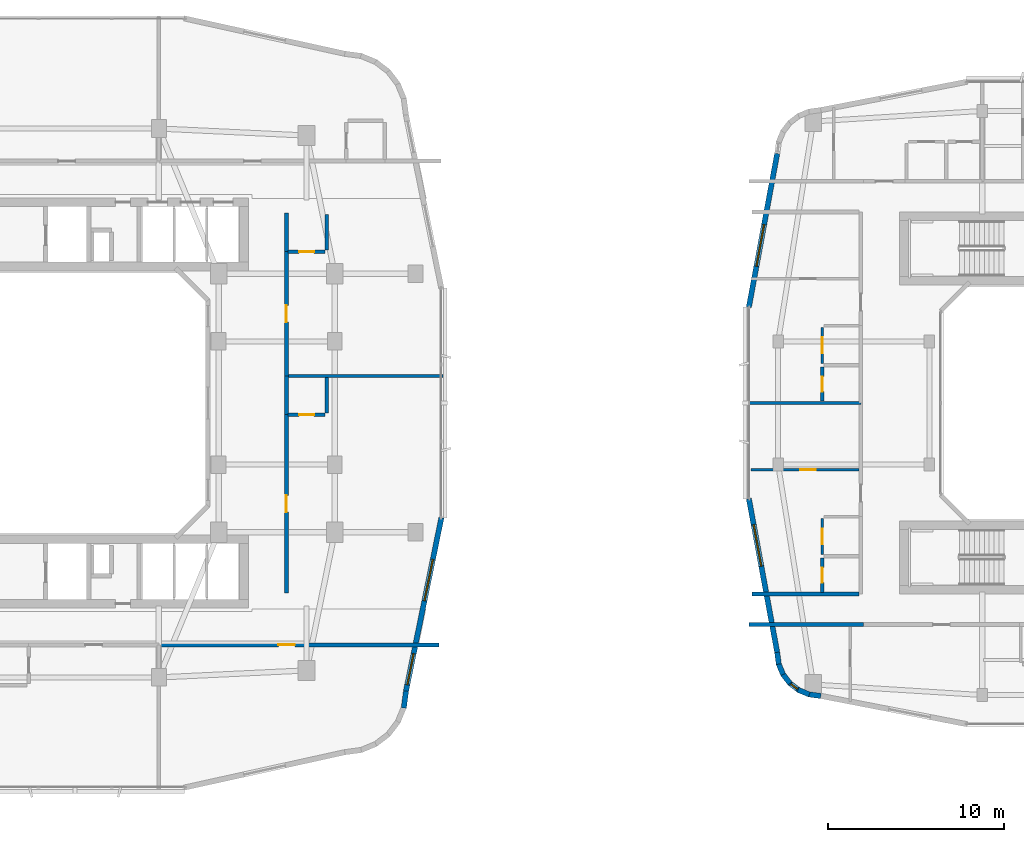
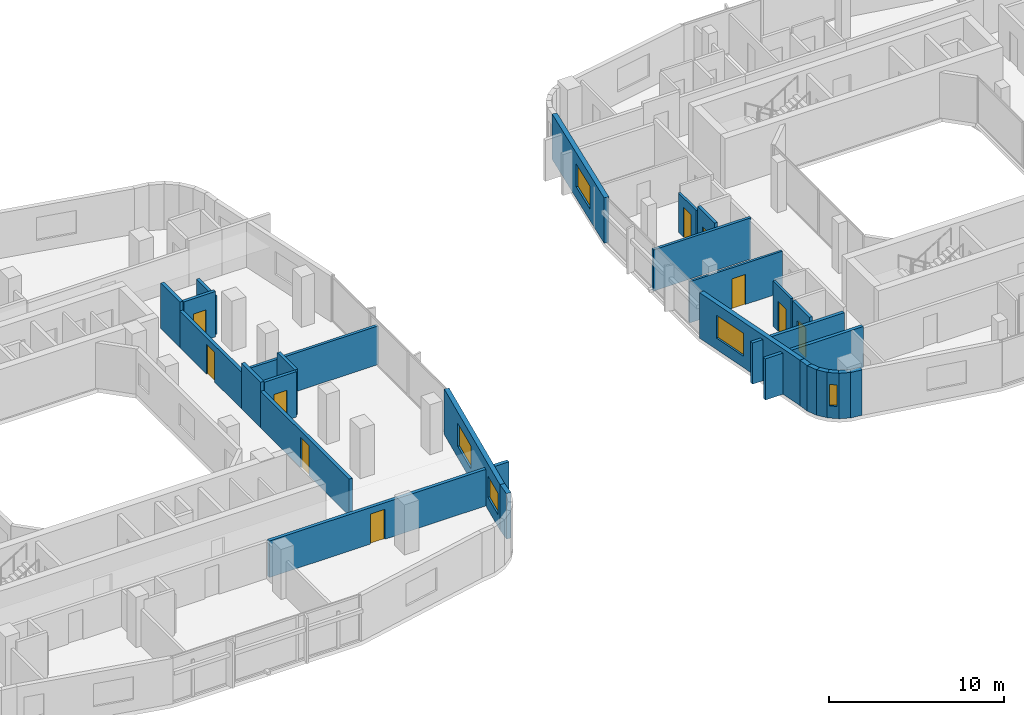
# One storey, part 14 of 25: 28 walls, 10 doors, 5 windows, 15 openings.
"""IFC4 building model written with IfcOpenShell, lengths in metres."""

from ifc_helpers import new_model, si_unit, derived_unit, direction, frame, frame_2d, origin, place, context, subcontext, project, spatial, rectangle, extrude, material, layer, layer_set, type_object, element, fill, save


model = new_model("IFC4")

# Units and contexts
model_context = context("Model", 3, precision=1e-05, world=origin(), true_north=direction((0.0, 1.0)))
body_context = subcontext(model_context, "Body", "Model", "MODEL_VIEW")
ifc_project = project(units=[si_unit("LENGTHUNIT", "METRE"), si_unit("AREAUNIT", "SQUARE_METRE"), si_unit("VOLUMEUNIT", "CUBIC_METRE"), si_unit("PLANEANGLEUNIT", "RADIAN"), si_unit("MASSUNIT", "GRAM", prefix="KILO"), derived_unit("THERMALTRANSMITTANCEUNIT", [(si_unit("POWERUNIT", "WATT"), 1), (si_unit("LENGTHUNIT", "METRE"), -2), (si_unit("THERMODYNAMICTEMPERATUREUNIT", "KELVIN"), -1)])], contexts=[model_context])

# Site, building, storey
site_placement = place(None, origin())
site = spatial("IfcSite", under=ifc_project, at=site_placement, CompositionType="ELEMENT")
building_placement = place(site_placement, origin())
building = spatial("IfcBuilding", under=site, at=building_placement, Name="Kivonza Crest Hotel", CompositionType="ELEMENT")
storey_placement = place(building_placement, frame((0.0, 0.0, 87.0)))
storey = spatial("IfcBuildingStorey", under=building, at=storey_placement, Name="L23", CompositionType="ELEMENT", Elevation=87.0)

# Walls
ifc_material_1 = material(Name="High-density acoustic masonry inter-tenancy wall", Category="masonry")
ifc_layer_1 = layer(ifc_material_1, 0.179931640625)
ifc_layer_set_1 = layer_set([ifc_layer_1], Name="High-density acoustic masonry inter-tenancy wall")
wall_type_1 = type_object("IfcWallType", Name="WL-ACOU-180", PredefinedType="SOLIDWALL", material=ifc_layer_set_1)
wall_1_placement = place(storey_placement, frame((33.050048828125, 26.5400390625, 0.0), z_axis=(0.0, 0.0, 1.0), x_axis=(1.0, 0.0, 0.0)))
element("IfcWall", 1, at=wall_1_placement, inside=storey, type_object=wall_type_1, Name="L23 interior partition WA-L23-T1E-DIV1", PredefinedType="SOLIDWALL", context=body_context, shape_type="SweptSolid", body=[
    extrude(rectangle(XDim=8.889892578125, YDim=0.179931640625, at=frame_2d((4.44482421875, 0.0))), origin(), (0.0, 0.0, 1.0), 2.705078125),
])
wall_2_placement = place(storey_placement, frame((59.260009765625, 25.0, 0.0), z_axis=(0.0, 0.0, 1.0), x_axis=(1.0, 0.0, 0.0)))
element("IfcWall", 2, at=wall_2_placement, inside=storey, type_object=wall_type_1, Name="L23 interior partition WA-L23-T2W-DIV1", PredefinedType="SOLIDWALL", context=body_context, shape_type="SweptSolid", body=[
    extrude(rectangle(XDim=6.43994140625, YDim=0.179931640625, at=frame_2d((3.219970703125, 0.0))), origin(), (0.0, 0.0, 1.0), 2.875),
])

# Wall, opening, door
ifc_material_2 = material(Name="Autoclaved aerated concrete blockwork", Category="masonry")
ifc_layer_2 = layer(ifc_material_2, 0.219970703125)
ifc_layer_set_2 = layer_set([ifc_layer_2], Name="Autoclaved aerated concrete blockwork")
wall_type_2 = type_object("IfcWallType", Name="WL-ACOU-220", PredefinedType="SOLIDWALL", material=ifc_layer_set_2)
wall_3_placement = place(storey_placement, frame((25.89990234375, 11.25, 0.0), z_axis=(0.0, 0.0, 1.0), x_axis=(1.0, 0.0, 0.0)))
wall_3 = element("IfcWall", 3, at=wall_3_placement, inside=storey, type_object=wall_type_2, Name="L23 interior partition WA-L23-BUS-MTG-N", PredefinedType="SOLIDWALL", context=body_context, shape_type="SweptSolid", body=[
    extrude(rectangle(XDim=15.840087890625, YDim=0.219970703125, at=frame_2d((7.919921875, 0.0))), origin(), (0.0, 0.0, 1.0), 2.554931640625),
])
opening_1_placement = place(wall_3_placement, frame((6.69091796875, 0.0, 0.0)))
opening_1 = element("IfcOpeningElement", 4, at=opening_1_placement, cuts=wall_3, Name="Opening DF-60S", PredefinedType="OPENING", context=body_context, shape_type="SweptSolid", body=[
    extrude(rectangle(XDim=0.949951171875, YDim=2.10009765625, at=frame_2d((0.47509765625, 1.050048828125))), frame((0.0, 0.1201171875, 0.0), z_axis=(0.0, -1.0, 0.0), x_axis=(1.0, 0.0, 0.0)), (0.0, 0.0, 1.0), 0.239990234375),
])
ifc_material_3 = material(Name="Hardwood timber oak", Category="wood")
door_type_1 = type_object("IfcDoorType", Name="DR-FD60-950", OperationType="NOTDEFINED", PredefinedType="DOOR", material=ifc_material_3)
door_1_placement = place(opening_1_placement, frame((0.949951171875, 0.0, 0.0), z_axis=(0.0, 0.0, 1.0), x_axis=(-1.0, 0.0, 0.0)))
door_1 = element("IfcDoor", 5, at=door_1_placement, inside=storey, type_object=door_type_1, Name="L23 Guest Business Office door", OperationType="SINGLE_SWING_RIGHT", OverallHeight=2.10009765625, OverallWidth=0.949951171875, PredefinedType="DOOR", context=body_context, shape_type="SweptSolid", body=[
    extrude(rectangle(XDim=0.949951171875, YDim=2.10009765625, at=frame_2d((0.47509765625, 1.050048828125))), frame((0.0, 0.02490234375, 0.0), z_axis=(0.0, -1.0, 0.0), x_axis=(1.0, 0.0, 0.0)), (0.0, 0.0, 1.0), 0.050048828125),
])
fill(opening_1, door_1)

# Wall
wall_4_placement = place(storey_placement, frame((33.050048828125, 24.340087890625, 0.0), z_axis=(0.0, 0.0, 1.0), x_axis=(0.0, 1.0, 0.0)))
element("IfcWall", 6, at=wall_4_placement, inside=storey, type_object=wall_type_2, Name="L23 interior partition WA-L23-E08-BCORR", PredefinedType="SOLIDWALL", context=body_context, shape_type="SweptSolid", body=[
    extrude(rectangle(XDim=2.199951171875, YDim=0.219970703125, at=frame_2d((1.10009765625, 0.0))), origin(), (0.0, 0.0, 1.0), 3.179931640625),
])

# Wall, opening, door
wall_5_placement = place(storey_placement, frame((33.050048828125, 14.199951171875, 0.0), z_axis=(0.0, 0.0, 1.0), x_axis=(0.0, 1.0, 0.0)))
wall_5 = element("IfcWall", 7, at=wall_5_placement, inside=storey, type_object=wall_type_2, Name="L23 interior partition WA-L23-E08-MCORR", PredefinedType="SOLIDWALL", context=body_context, shape_type="SweptSolid", body=[
    extrude(rectangle(XDim=10.14013671875, YDim=0.219970703125, at=frame_2d((5.070068359375, 0.0))), origin(), (0.0, 0.0, 1.0), 2.554931640625),
])
opening_2_placement = place(wall_5_placement, frame((4.594970703125, 0.0, 0.0)))
opening_2 = element("IfcOpeningElement", 8, at=opening_2_placement, cuts=wall_5, Name="Opening DU-60", PredefinedType="OPENING", context=body_context, shape_type="SweptSolid", body=[
    extrude(rectangle(XDim=0.949951171875, YDim=2.10009765625, at=frame_2d((0.47509765625, 1.050048828125))), frame((0.0, 0.1201171875, 0.0), z_axis=(0.0, -1.0, 0.0), x_axis=(1.0, 0.0, 0.0)), (0.0, 0.0, 1.0), 0.239990234375),
])
door_type_2 = type_object("IfcDoorType", Name="DR-UNIT-950", OperationType="NOTDEFINED", PredefinedType="DOOR", material=ifc_material_3)
door_2_placement = place(opening_2_placement, frame((0.949951171875, 0.0, 0.0), z_axis=(0.0, 0.0, 1.0), x_axis=(-1.0, 0.0, 0.0)))
door_2 = element("IfcDoor", 9, at=door_2_placement, inside=storey, type_object=door_type_2, Name="L23 E08 guest unit entrance fire door", OperationType="SINGLE_SWING_RIGHT", OverallHeight=2.10009765625, OverallWidth=0.949951171875, PredefinedType="DOOR", context=body_context, shape_type="SweptSolid", body=[
    extrude(rectangle(XDim=0.949951171875, YDim=2.10009765625, at=frame_2d((0.47509765625, 1.050048828125))), frame((0.0, 0.02490234375, 0.0), z_axis=(0.0, -1.0, 0.0), x_axis=(1.0, 0.0, 0.0)), (0.0, 0.0, 1.0), 0.050048828125),
])
fill(opening_2, door_2)

# Wall
wall_6_placement = place(storey_placement, frame((33.050048828125, 33.60009765625, 0.0), z_axis=(0.0, 0.0, 1.0), x_axis=(0.0, 1.0, 0.0)))
element("IfcWall", 10, at=wall_6_placement, inside=storey, type_object=wall_type_2, Name="L23 interior partition WA-L23-E09-BCORR", PredefinedType="SOLIDWALL", context=body_context, shape_type="SweptSolid", body=[
    extrude(rectangle(XDim=2.199951171875, YDim=0.219970703125, at=frame_2d((1.10009765625, 0.0))), origin(), (0.0, 0.0, 1.0), 3.179931640625),
])

# Wall, opening, door
wall_7_placement = place(storey_placement, frame((33.050048828125, 26.5400390625, 0.0), z_axis=(0.0, 0.0, 1.0), x_axis=(0.0, 1.0, 0.0)))
wall_7 = element("IfcWall", 11, at=wall_7_placement, inside=storey, type_object=wall_type_2, Name="L23 interior partition WA-L23-E09-MCORR", PredefinedType="SOLIDWALL", context=body_context, shape_type="SweptSolid", body=[
    extrude(rectangle(XDim=7.06005859375, YDim=0.219970703125, at=frame_2d((3.530029296875, 0.0))), origin(), (0.0, 0.0, 1.0), 2.554931640625),
])
opening_3_placement = place(wall_7_placement, frame((3.054931640625, 0.0, 0.0)))
opening_3 = element("IfcOpeningElement", 12, at=opening_3_placement, cuts=wall_7, Name="Opening DU-60", PredefinedType="OPENING", context=body_context, shape_type="SweptSolid", body=[
    extrude(rectangle(XDim=0.949951171875, YDim=2.10009765625, at=frame_2d((0.47509765625, 1.050048828125))), frame((0.0, 0.1201171875, 0.0), z_axis=(0.0, -1.0, 0.0), x_axis=(1.0, 0.0, 0.0)), (0.0, 0.0, 1.0), 0.239990234375),
])
door_3_placement = place(opening_3_placement, frame((0.949951171875, 0.0, 0.0), z_axis=(0.0, 0.0, 1.0), x_axis=(-1.0, 0.0, 0.0)))
door_3 = element("IfcDoor", 13, at=door_3_placement, inside=storey, type_object=door_type_2, Name="L23 E09 guest unit entrance fire door", OperationType="SINGLE_SWING_LEFT", OverallHeight=2.10009765625, OverallWidth=0.949951171875, PredefinedType="DOOR", context=body_context, shape_type="SweptSolid", body=[
    extrude(rectangle(XDim=0.949951171875, YDim=2.10009765625, at=frame_2d((0.47509765625, 1.050048828125))), frame((0.0, 0.02490234375, 0.0), z_axis=(0.0, -1.0, 0.0), x_axis=(1.0, 0.0, 0.0)), (0.0, 0.0, 1.0), 0.050048828125),
])
fill(opening_3, door_3)

# Walls
wall_8_placement = place(storey_placement, frame((59.360107421875, 12.39990234375, 0.0), z_axis=(0.0, 0.0, 1.0), x_axis=(1.0, 0.0, 0.0)))
element("IfcWall", 14, at=wall_8_placement, inside=storey, type_object=wall_type_2, Name="L23 interior partition WA-L23-A03-LCORR", PredefinedType="SOLIDWALL", context=body_context, shape_type="SweptSolid", body=[
    extrude(rectangle(XDim=6.489990234375, YDim=0.219970703125, at=frame_2d((3.2451171875, 0.0))), origin(), (0.0, 0.0, 1.0), 2.875),
])
wall_9_placement = place(storey_placement, frame((59.52001953125, 14.139892578125, 0.0), z_axis=(0.0, 0.0, 1.0), x_axis=(1.0, 0.0, 0.0)))
element("IfcWall", 15, at=wall_9_placement, inside=storey, type_object=wall_type_2, Name="L23 interior partition WA-L23-T2W-ENDS", PredefinedType="SOLIDWALL", context=body_context, shape_type="SweptSolid", body=[
    extrude(rectangle(XDim=6.080078125, YDim=0.219970703125, at=frame_2d((3.0400390625, 0.0))), origin(), (0.0, 0.0, 1.0), 2.875),
])
ifc_material_4 = material(Name="Precast concrete C40/50", Category="concrete")
ifc_layer_3 = layer(ifc_material_4, 0.300048828125)
ifc_layer_set_3 = layer_set([ifc_layer_3], Name="Precast concrete C40/50")
wall_type_3 = type_object("IfcWallType", Name="WL-EXT-300", PredefinedType="STANDARD", material=ifc_layer_set_3)
wall_10_placement = place(storey_placement, frame((39.72509765625, 7.6630859375, 0.0), z_axis=(0.0, 0.0, 1.0), x_axis=(0.130454512571, 0.991454295543, 0.0)))
element("IfcWall", 16, at=wall_10_placement, inside=storey, type_object=wall_type_3, Name="L23 T1 exterior insulated wall 15", PredefinedType="STANDARD", context=body_context, shape_type="SweptSolid", body=[
    extrude(rectangle(XDim=0.97314453125, YDim=0.300048828125, at=frame_2d((0.486572265625, 0.0))), origin(), (0.0, 0.0, 1.0), 3.179931640625),
])

# Wall, openings, windows
wall_11_placement = place(storey_placement, frame((39.85107421875, 8.6220703125, 0.0), z_axis=(0.0, 0.0, 1.0), x_axis=(0.199990901713, 0.979797754249, 0.0)))
wall_11 = element("IfcWall", 17, at=wall_11_placement, inside=storey, type_object=wall_type_3, Name="L23 T1 exterior insulated wall 16", PredefinedType="STANDARD", context=body_context, shape_type="SweptSolid", body=[
    extrude(rectangle(XDim=10.065185546875, YDim=0.300048828125, at=frame_2d((5.03271484375, 0.0))), origin(), (0.0, 0.0, 1.0), 3.179931640625),
])
opening_4_placement = place(wall_11_placement, frame((0.3779296875, 0.0, 0.85009765625)))
opening_4 = element("IfcOpeningElement", 18, at=opening_4_placement, cuts=wall_11, Name="Opening WN-03", PredefinedType="OPENING", context=body_context, shape_type="SweptSolid", body=[
    extrude(rectangle(XDim=1.800048828125, YDim=1.5, at=frame_2d((0.89990234375, 0.75))), frame((0.0, 0.16015625, 0.0), z_axis=(0.0, -1.0, 0.0), x_axis=(1.0, 0.0, 0.0)), (0.0, 0.0, 1.0), 0.320068359375),
])
opening_5_placement = place(wall_11_placement, frame((5.236083984375, 0.0, 0.800048828125)))
opening_5 = element("IfcOpeningElement", 19, at=opening_5_placement, cuts=wall_11, Name="Opening WN-05", PredefinedType="OPENING", context=body_context, shape_type="SweptSolid", body=[
    extrude(rectangle(XDim=2.39990234375, YDim=1.60009765625, at=frame_2d((1.199951171875, 0.800048828125))), frame((0.0, 0.16015625, 0.0), z_axis=(0.0, -1.0, 0.0), x_axis=(1.0, 0.0, 0.0)), (0.0, 0.0, 1.0), 0.320068359375),
])
ifc_material_5 = material(Name="Thermally broken bronze aluminium and low-E double glazing", Category="aluminium")
window_type_1 = type_object("IfcWindowType", Name="WN-180x150", PartitioningType="DOUBLE_PANEL_VERTICAL", PredefinedType="WINDOW", material=ifc_material_5)
window_1_placement = place(opening_4_placement, origin())
window_1 = element("IfcWindow", 20, at=window_1_placement, inside=storey, type_object=window_type_1, Name="L23 T1 facade window 16 bay 1", OverallHeight=1.5, OverallWidth=1.800048828125, PartitioningType="SINGLE_PANEL", PredefinedType="WINDOW", context=body_context, shape_type="SweptSolid", body=[
    extrude(rectangle(XDim=1.800048828125, YDim=1.5, at=frame_2d((0.89990234375, 0.75))), frame((0.0, 0.030029296875, 0.0), z_axis=(0.0, -1.0, 0.0), x_axis=(1.0, 0.0, 0.0)), (0.0, 0.0, 1.0), 0.06005859375),
])
fill(opening_4, window_1)
window_type_2 = type_object("IfcWindowType", Name="WN-240x160", PartitioningType="TRIPLE_PANEL_VERTICAL", PredefinedType="WINDOW", material=ifc_material_5)
window_2_placement = place(opening_5_placement, origin())
window_2 = element("IfcWindow", 21, at=window_2_placement, inside=storey, type_object=window_type_2, Name="L23 T1 facade window 16 bay 2", OverallHeight=1.60009765625, OverallWidth=2.39990234375, PartitioningType="SINGLE_PANEL", PredefinedType="WINDOW", context=body_context, shape_type="SweptSolid", body=[
    extrude(rectangle(XDim=2.39990234375, YDim=1.60009765625, at=frame_2d((1.199951171875, 0.800048828125))), frame((0.0, 0.030029296875, 0.0), z_axis=(0.0, -1.0, 0.0), x_axis=(1.0, 0.0, 0.0)), (0.0, 0.0, 1.0), 0.06005859375),
])
fill(opening_5, window_2)

# Walls
wall_12_placement = place(storey_placement, frame((60.947998046875, 10.827880859375, 0.0), z_axis=(0.0, 0.0, 1.0), x_axis=(0.131667498923, -0.991293937098, 0.0)))
element("IfcWall", 22, at=wall_12_placement, inside=storey, type_object=wall_type_3, Name="L23 T2 exterior insulated wall 1", PredefinedType="STANDARD", context=body_context, shape_type="SweptSolid", body=[
    extrude(rectangle(XDim=0.6767578125, YDim=0.300048828125, at=frame_2d((0.33837890625, 0.0))), origin(), (0.0, 0.0, 1.0), 3.179931640625),
])
wall_13_placement = place(storey_placement, frame((61.01806640625, 10.20703125, 0.0), z_axis=(0.0, 0.0, 1.0), x_axis=(0.381864727877, -0.92421822618, 0.0)))
element("IfcWall", 23, at=wall_13_placement, inside=storey, type_object=wall_type_3, Name="L23 T2 exterior insulated wall 2", PredefinedType="STANDARD", context=body_context, shape_type="SweptSolid", body=[
    extrude(rectangle(XDim=0.693603515625, YDim=0.300048828125, at=frame_2d((0.3466796875, 0.0))), origin(), (0.0, 0.0, 1.0), 3.179931640625),
])
wall_14_placement = place(storey_placement, frame((61.251953125, 9.611083984375, 0.0), z_axis=(0.0, 0.0, 1.0), x_axis=(0.609693758543, -0.792637067512, 0.0)))
element("IfcWall", 24, at=wall_14_placement, inside=storey, type_object=wall_type_3, Name="L23 T2 exterior insulated wall 3", PredefinedType="STANDARD", context=body_context, shape_type="SweptSolid", body=[
    extrude(rectangle(XDim=0.69384765625, YDim=0.300048828125, at=frame_2d((0.346923828125, 0.0))), origin(), (0.0, 0.0, 1.0), 3.179931640625),
])

# Wall, opening, window
wall_15_placement = place(storey_placement, frame((61.633056640625, 9.095947265625, 0.0), z_axis=(0.0, 0.0, 1.0), x_axis=(0.792807092876, -0.609472651958, 0.0)))
wall_15 = element("IfcWall", 25, at=wall_15_placement, inside=storey, type_object=wall_type_3, Name="L23 T2 exterior insulated wall 4", PredefinedType="STANDARD", context=body_context, shape_type="SweptSolid", body=[
    extrude(rectangle(XDim=0.69384765625, YDim=0.300048828125, at=frame_2d((0.346923828125, 0.0))), origin(), (0.0, 0.0, 1.0), 3.179931640625),
])
opening_6_placement = place(wall_15_placement, frame((0.1220703125, 0.0, 0.85009765625)))
opening_6 = element("IfcOpeningElement", 26, at=opening_6_placement, cuts=wall_15, Name="Opening WN-11", PredefinedType="OPENING", context=body_context, shape_type="SweptSolid", body=[
    extrude(rectangle(XDim=0.449951171875, YDim=1.5, at=frame_2d((0.22509765625, 0.75))), frame((0.0, 0.16015625, 0.0), z_axis=(0.0, -1.0, 0.0), x_axis=(1.0, 0.0, 0.0)), (0.0, 0.0, 1.0), 0.320068359375),
])
window_type_3 = type_object("IfcWindowType", Name="WN-045x150", PartitioningType="SINGLE_PANEL", PredefinedType="WINDOW", material=ifc_material_5)
window_3_placement = place(opening_6_placement, origin())
window_3 = element("IfcWindow", 27, at=window_3_placement, inside=storey, type_object=window_type_3, Name="L23 corner vision window 3", OverallHeight=1.5, OverallWidth=0.449951171875, PartitioningType="SINGLE_PANEL", PredefinedType="WINDOW", context=body_context, shape_type="SweptSolid", body=[
    extrude(rectangle(XDim=0.449951171875, YDim=1.5, at=frame_2d((0.22509765625, 0.75))), frame((0.0, 0.030029296875, 0.0), z_axis=(0.0, -1.0, 0.0), x_axis=(1.0, 0.0, 0.0)), (0.0, 0.0, 1.0), 0.06005859375),
])
fill(opening_6, window_3)

# Walls
wall_16_placement = place(storey_placement, frame((62.134033203125, 8.697021484375, 0.0), z_axis=(0.0, 0.0, 1.0), x_axis=(0.924042561464, -0.382289608286, 0.0)))
element("IfcWall", 28, at=wall_16_placement, inside=storey, type_object=wall_type_3, Name="L23 T2 exterior insulated wall 5", PredefinedType="STANDARD", context=body_context, shape_type="SweptSolid", body=[
    extrude(rectangle(XDim=0.693603515625, YDim=0.300048828125, at=frame_2d((0.3466796875, 0.0))), origin(), (0.0, 0.0, 1.0), 3.179931640625),
])
wall_17_placement = place(storey_placement, frame((62.721923828125, 8.44091796875, 0.0), z_axis=(0.0, 0.0, 1.0), x_axis=(0.991433279471, -0.130614135366, 0.0)))
element("IfcWall", 29, at=wall_17_placement, inside=storey, type_object=wall_type_3, Name="L23 T2 exterior insulated wall 6", PredefinedType="STANDARD", context=body_context, shape_type="SweptSolid", body=[
    extrude(rectangle(XDim=0.712158203125, YDim=0.300048828125, at=frame_2d((0.35595703125, 0.0))), origin(), (0.0, 0.0, 1.0), 3.179931640625),
])

# Wall, opening, window
wall_18_placement = place(storey_placement, frame((60.948974609375, 39.180908203125, 0.0), z_axis=(0.0, 0.0, 1.0), x_axis=(-0.181241420611, -0.983438634311, 0.0)))
wall_18 = element("IfcWall", 30, at=wall_18_placement, inside=storey, type_object=wall_type_3, Name="L23 T2 exterior insulated wall 34", PredefinedType="STANDARD", context=body_context, shape_type="SweptSolid", body=[
    extrude(rectangle(XDim=8.88916015625, YDim=0.300048828125, at=frame_2d((4.444580078125, 0.0))), origin(), (0.0, 0.0, 1.0), 3.179931640625),
])
opening_7_placement = place(wall_18_placement, frame((4.10888671875, 0.0, 0.800048828125)))
opening_7 = element("IfcOpeningElement", 31, at=opening_7_placement, cuts=wall_18, Name="Opening WN-05", PredefinedType="OPENING", context=body_context, shape_type="SweptSolid", body=[
    extrude(rectangle(XDim=2.39990234375, YDim=1.60009765625, at=frame_2d((1.199951171875, 0.800048828125))), frame((0.0, 0.16015625, 0.0), z_axis=(0.0, -1.0, 0.0), x_axis=(1.0, 0.0, 0.0)), (0.0, 0.0, 1.0), 0.320068359375),
])
window_4_placement = place(opening_7_placement, origin())
window_4 = element("IfcWindow", 32, at=window_4_placement, inside=storey, type_object=window_type_2, Name="L23 T2 facade window 34", OverallHeight=1.60009765625, OverallWidth=2.39990234375, PartitioningType="SINGLE_PANEL", PredefinedType="WINDOW", context=body_context, shape_type="SweptSolid", body=[
    extrude(rectangle(XDim=2.39990234375, YDim=1.60009765625, at=frame_2d((1.199951171875, 0.800048828125))), frame((0.0, 0.030029296875, 0.0), z_axis=(0.0, -1.0, 0.0), x_axis=(1.0, 0.0, 0.0)), (0.0, 0.0, 1.0), 0.06005859375),
])
fill(opening_7, window_4)

wall_19_placement = place(storey_placement, frame((59.337890625, 19.56103515625, 0.0), z_axis=(0.0, 0.0, 1.0), x_axis=(0.181241420611, -0.983438634311, 0.0)))
wall_19 = element("IfcWall", 33, at=wall_19_placement, inside=storey, type_object=wall_type_3, Name="L23 T2 exterior insulated wall 36", PredefinedType="STANDARD", context=body_context, shape_type="SweptSolid", body=[
    extrude(rectangle(XDim=8.88916015625, YDim=0.300048828125, at=frame_2d((4.444580078125, 0.0))), origin(), (0.0, 0.0, 1.0), 3.179931640625),
])
opening_8_placement = place(wall_19_placement, frame((1.4970703125, 0.0, 0.800048828125)))
opening_8 = element("IfcOpeningElement", 34, at=opening_8_placement, cuts=wall_19, Name="Opening WN-05", PredefinedType="OPENING", context=body_context, shape_type="SweptSolid", body=[
    extrude(rectangle(XDim=2.39990234375, YDim=1.60009765625, at=frame_2d((1.199951171875, 0.800048828125))), frame((0.0, 0.16015625, 0.0), z_axis=(0.0, -1.0, 0.0), x_axis=(1.0, 0.0, 0.0)), (0.0, 0.0, 1.0), 0.320068359375),
])
window_5_placement = place(opening_8_placement, origin())
window_5 = element("IfcWindow", 35, at=window_5_placement, inside=storey, type_object=window_type_2, Name="L23 T2 facade window 36", OverallHeight=1.60009765625, OverallWidth=2.39990234375, PartitioningType="SINGLE_PANEL", PredefinedType="WINDOW", context=body_context, shape_type="SweptSolid", body=[
    extrude(rectangle(XDim=2.39990234375, YDim=1.60009765625, at=frame_2d((1.199951171875, 0.800048828125))), frame((0.0, 0.030029296875, 0.0), z_axis=(0.0, -1.0, 0.0), x_axis=(1.0, 0.0, 0.0)), (0.0, 0.0, 1.0), 0.06005859375),
])
fill(opening_8, window_5)

# Wall, opening, door
ifc_material_6 = material(Name="Twin-stud acoustic gypsum board partition", Category="gypsum")
ifc_layer_4 = layer(ifc_material_6, 0.14990234375)
ifc_layer_set_4 = layer_set([ifc_layer_4], Name="Twin-stud acoustic gypsum board partition")
wall_type_4 = type_object("IfcWallType", Name="WL-PART-150", PredefinedType="PARTITIONING", material=ifc_layer_set_4)
wall_20_placement = place(storey_placement, frame((59.4599609375, 21.199951171875, 0.0), z_axis=(0.0, 0.0, 1.0), x_axis=(1.0, 0.0, 0.0)))
wall_20 = element("IfcWall", 36, at=wall_20_placement, inside=storey, type_object=wall_type_4, Name="L23 interior partition WP-L23-A05-BD1", PredefinedType="PARTITIONING", context=body_context, shape_type="SweptSolid", body=[
    extrude(rectangle(XDim=6.14013671875, YDim=0.14990234375, at=frame_2d((3.070068359375, 0.0))), origin(), (0.0, 0.0, 1.0), 2.875),
])
opening_9_placement = place(wall_20_placement, frame((2.7900390625, 0.0, 0.0)))
opening_9 = element("IfcOpeningElement", 37, at=opening_9_placement, cuts=wall_20, Name="Opening DI-90", PredefinedType="OPENING", context=body_context, shape_type="SweptSolid", body=[
    extrude(rectangle(XDim=0.89990234375, YDim=2.10009765625, at=frame_2d((0.449951171875, 1.050048828125))), frame((0.0, 0.0849609375, 0.0), z_axis=(0.0, -1.0, 0.0), x_axis=(1.0, 0.0, 0.0)), (0.0, 0.0, 1.0), 0.169921875),
])
door_type_3 = type_object("IfcDoorType", Name="DR-INT-900", OperationType="NOTDEFINED", PredefinedType="DOOR", material=ifc_material_3)
door_4_placement = place(opening_9_placement, origin())
door_4 = element("IfcDoor", 38, at=door_4_placement, inside=storey, type_object=door_type_3, Name="L23 A05 bedroom door", OperationType="SINGLE_SWING_RIGHT", OverallHeight=2.10009765625, OverallWidth=0.89990234375, PredefinedType="DOOR", context=body_context, shape_type="SweptSolid", body=[
    extrude(rectangle(XDim=0.89990234375, YDim=2.10009765625, at=frame_2d((0.449951171875, 1.050048828125))), frame((0.0, 0.02490234375, 0.0), z_axis=(0.0, -1.0, 0.0), x_axis=(1.0, 0.0, 0.0)), (0.0, 0.0, 1.0), 0.050048828125),
])
fill(opening_9, door_4)

wall_21_placement = place(storey_placement, frame((63.5, 16.389892578125, 0.0), z_axis=(0.0, 0.0, 1.0), x_axis=(0.0, 1.0, 0.0)))
wall_21 = element("IfcWall", 39, at=wall_21_placement, inside=storey, type_object=wall_type_4, Name="L23 interior partition WP-L23-A05-KSVC", PredefinedType="PARTITIONING", context=body_context, shape_type="SweptSolid", body=[
    extrude(rectangle(XDim=2.050048828125, YDim=0.14990234375, at=frame_2d((1.02490234375, 0.0))), origin(), (0.0, 0.0, 1.0), 3.179931640625),
])
opening_10_placement = place(wall_21_placement, frame((0.574951171875, 0.0, 0.0)))
opening_10 = element("IfcOpeningElement", 40, at=opening_10_placement, cuts=wall_21, Name="Opening DI-90", PredefinedType="OPENING", context=body_context, shape_type="SweptSolid", body=[
    extrude(rectangle(XDim=0.89990234375, YDim=2.10009765625, at=frame_2d((0.449951171875, 1.050048828125))), frame((0.0, 0.0849609375, 0.0), z_axis=(0.0, -1.0, 0.0), x_axis=(1.0, 0.0, 0.0)), (0.0, 0.0, 1.0), 0.169921875),
])
door_5_placement = place(opening_10_placement, origin())
door_5 = element("IfcDoor", 41, at=door_5_placement, inside=storey, type_object=door_type_3, Name="L23 A05 apartment kitchen door", OperationType="SINGLE_SWING_LEFT", OverallHeight=2.10009765625, OverallWidth=0.89990234375, PredefinedType="DOOR", context=body_context, shape_type="SweptSolid", body=[
    extrude(rectangle(XDim=0.89990234375, YDim=2.10009765625, at=frame_2d((0.449951171875, 1.050048828125))), frame((0.0, 0.02490234375, 0.0), z_axis=(0.0, -1.0, 0.0), x_axis=(1.0, 0.0, 0.0)), (0.0, 0.0, 1.0), 0.050048828125),
])
fill(opening_10, door_5)

wall_22_placement = place(storey_placement, frame((63.5, 27.25, 0.0), z_axis=(0.0, 0.0, 1.0), x_axis=(0.0, 1.0, 0.0)))
wall_22 = element("IfcWall", 42, at=wall_22_placement, inside=storey, type_object=wall_type_4, Name="L23 interior partition WP-L23-A06-KSVC", PredefinedType="PARTITIONING", context=body_context, shape_type="SweptSolid", body=[
    extrude(rectangle(XDim=2.050048828125, YDim=0.14990234375, at=frame_2d((1.02490234375, 0.0))), origin(), (0.0, 0.0, 1.0), 2.7548828125),
])
opening_11_placement = place(wall_22_placement, frame((0.574951171875, 0.0, 0.0)))
opening_11 = element("IfcOpeningElement", 43, at=opening_11_placement, cuts=wall_22, Name="Opening DI-90", PredefinedType="OPENING", context=body_context, shape_type="SweptSolid", body=[
    extrude(rectangle(XDim=0.89990234375, YDim=2.10009765625, at=frame_2d((0.449951171875, 1.050048828125))), frame((0.0, 0.0849609375, 0.0), z_axis=(0.0, -1.0, 0.0), x_axis=(1.0, 0.0, 0.0)), (0.0, 0.0, 1.0), 0.169921875),
])
door_6_placement = place(opening_11_placement, origin())
door_6 = element("IfcDoor", 44, at=door_6_placement, inside=storey, type_object=door_type_3, Name="L23 A06 apartment kitchen door", OperationType="SINGLE_SWING_RIGHT", OverallHeight=2.10009765625, OverallWidth=0.89990234375, PredefinedType="DOOR", context=body_context, shape_type="SweptSolid", body=[
    extrude(rectangle(XDim=0.89990234375, YDim=2.10009765625, at=frame_2d((0.449951171875, 1.050048828125))), frame((0.0, 0.02490234375, 0.0), z_axis=(0.0, -1.0, 0.0), x_axis=(1.0, 0.0, 0.0)), (0.0, 0.0, 1.0), 0.050048828125),
])
fill(opening_11, door_6)

ifc_material_7 = material(Name="Moisture-resistant plumbing chase partition wall", Category="gypsum")
ifc_layer_5 = layer(ifc_material_7, 0.199951171875)
ifc_layer_set_5 = layer_set([ifc_layer_5], Name="Moisture-resistant plumbing chase partition wall")
wall_type_5 = type_object("IfcWallType", Name="WL-PLUMB-200", PredefinedType="PLUMBINGWALL", material=ifc_layer_set_5)
wall_23_placement = place(storey_placement, frame((33.14990234375, 24.340087890625, 0.0), z_axis=(0.0, 0.0, 1.0), x_axis=(1.0, 0.0, 0.0)))
wall_23 = element("IfcWall", 45, at=wall_23_placement, inside=storey, type_object=wall_type_5, Name="L23 interior partition WW-L23-E08-BH", PredefinedType="PLUMBINGWALL", context=body_context, shape_type="SweptSolid", body=[
    extrude(rectangle(XDim=2.10009765625, YDim=0.199951171875, at=frame_2d((1.050048828125, 0.0))), origin(), (0.0, 0.0, 1.0), 3.179931640625),
])
opening_12_placement = place(wall_23_placement, frame((0.625, 0.0, 0.0)))
opening_12 = element("IfcOpeningElement", 46, at=opening_12_placement, cuts=wall_23, Name="Opening DI-85", PredefinedType="OPENING", context=body_context, shape_type="SweptSolid", body=[
    extrude(rectangle(XDim=0.85009765625, YDim=2.10009765625, at=frame_2d((0.425048828125, 1.050048828125))), frame((0.0, 0.10986328125, 0.0), z_axis=(0.0, -1.0, 0.0), x_axis=(1.0, 0.0, 0.0)), (0.0, 0.0, 1.0), 0.219970703125),
])
door_type_4 = type_object("IfcDoorType", Name="DR-INT-850", OperationType="NOTDEFINED", PredefinedType="DOOR", material=ifc_material_3)
door_7_placement = place(opening_12_placement, frame((0.85009765625, 0.0, 0.0), z_axis=(0.0, 0.0, 1.0), x_axis=(-1.0, 0.0, 0.0)))
door_7 = element("IfcDoor", 47, at=door_7_placement, inside=storey, type_object=door_type_4, Name="L23 E08 en-suite bathroom door", OperationType="SINGLE_SWING_LEFT", OverallHeight=2.10009765625, OverallWidth=0.85009765625, PredefinedType="DOOR", context=body_context, shape_type="SweptSolid", body=[
    extrude(rectangle(XDim=0.85009765625, YDim=2.10009765625, at=frame_2d((0.425048828125, 1.050048828125))), frame((0.0, 0.02490234375, 0.0), z_axis=(0.0, -1.0, 0.0), x_axis=(1.0, 0.0, 0.0)), (0.0, 0.0, 1.0), 0.050048828125),
])
fill(opening_12, door_7)

# Wall
wall_24_placement = place(storey_placement, frame((35.35009765625, 24.43994140625, 0.0), z_axis=(0.0, 0.0, 1.0), x_axis=(0.0, 1.0, 0.0)))
element("IfcWall", 48, at=wall_24_placement, inside=storey, type_object=wall_type_5, Name="L23 interior partition WW-L23-E08-BV", PredefinedType="PLUMBINGWALL", context=body_context, shape_type="SweptSolid", body=[
    extrude(rectangle(XDim=2.0, YDim=0.199951171875, at=frame_2d((1.0, 0.0))), origin(), (0.0, 0.0, 1.0), 3.179931640625),
])

# Wall, opening, door
wall_25_placement = place(storey_placement, frame((33.14990234375, 33.60009765625, 0.0), z_axis=(0.0, 0.0, 1.0), x_axis=(1.0, 0.0, 0.0)))
wall_25 = element("IfcWall", 49, at=wall_25_placement, inside=storey, type_object=wall_type_5, Name="L23 interior partition WW-L23-E09-BH", PredefinedType="PLUMBINGWALL", context=body_context, shape_type="SweptSolid", body=[
    extrude(rectangle(XDim=2.10009765625, YDim=0.199951171875, at=frame_2d((1.050048828125, 0.0))), origin(), (0.0, 0.0, 1.0), 3.179931640625),
])
opening_13_placement = place(wall_25_placement, frame((0.625, 0.0, 0.0)))
opening_13 = element("IfcOpeningElement", 50, at=opening_13_placement, cuts=wall_25, Name="Opening DI-85", PredefinedType="OPENING", context=body_context, shape_type="SweptSolid", body=[
    extrude(rectangle(XDim=0.85009765625, YDim=2.10009765625, at=frame_2d((0.425048828125, 1.050048828125))), frame((0.0, 0.10986328125, 0.0), z_axis=(0.0, -1.0, 0.0), x_axis=(1.0, 0.0, 0.0)), (0.0, 0.0, 1.0), 0.219970703125),
])
door_8_placement = place(opening_13_placement, frame((0.85009765625, 0.0, 0.0), z_axis=(0.0, 0.0, 1.0), x_axis=(-1.0, 0.0, 0.0)))
door_8 = element("IfcDoor", 51, at=door_8_placement, inside=storey, type_object=door_type_4, Name="L23 E09 en-suite bathroom door", OperationType="SINGLE_SWING_RIGHT", OverallHeight=2.10009765625, OverallWidth=0.85009765625, PredefinedType="DOOR", context=body_context, shape_type="SweptSolid", body=[
    extrude(rectangle(XDim=0.85009765625, YDim=2.10009765625, at=frame_2d((0.425048828125, 1.050048828125))), frame((0.0, 0.02490234375, 0.0), z_axis=(0.0, -1.0, 0.0), x_axis=(1.0, 0.0, 0.0)), (0.0, 0.0, 1.0), 0.050048828125),
])
fill(opening_13, door_8)

# Wall
wall_26_placement = place(storey_placement, frame((35.35009765625, 33.699951171875, 0.0), z_axis=(0.0, 0.0, 1.0), x_axis=(0.0, 1.0, 0.0)))
element("IfcWall", 52, at=wall_26_placement, inside=storey, type_object=wall_type_5, Name="L23 interior partition WW-L23-E09-BV", PredefinedType="PLUMBINGWALL", context=body_context, shape_type="SweptSolid", body=[
    extrude(rectangle(XDim=2.0, YDim=0.199951171875, at=frame_2d((1.0, 0.0))), origin(), (0.0, 0.0, 1.0), 2.705078125),
])

# Wall, opening, door
wall_27_placement = place(storey_placement, frame((63.5, 14.239990234375, 0.0), z_axis=(0.0, 0.0, 1.0), x_axis=(0.0, 1.0, 0.0)))
wall_27 = element("IfcWall", 53, at=wall_27_placement, inside=storey, type_object=wall_type_5, Name="L23 interior partition WW-L23-A05-BSVC", PredefinedType="PLUMBINGWALL", context=body_context, shape_type="SweptSolid", body=[
    extrude(rectangle(XDim=1.949951171875, YDim=0.199951171875, at=frame_2d((0.97509765625, 0.0))), origin(), (0.0, 0.0, 1.0), 3.179931640625),
])
opening_14_placement = place(wall_27_placement, frame((0.550048828125, 0.0, 0.0)))
opening_14 = element("IfcOpeningElement", 54, at=opening_14_placement, cuts=wall_27, Name="Opening DI-85", PredefinedType="OPENING", context=body_context, shape_type="SweptSolid", body=[
    extrude(rectangle(XDim=0.85009765625, YDim=2.10009765625, at=frame_2d((0.425048828125, 1.050048828125))), frame((0.0, 0.10986328125, 0.0), z_axis=(0.0, -1.0, 0.0), x_axis=(1.0, 0.0, 0.0)), (0.0, 0.0, 1.0), 0.219970703125),
])
door_9_placement = place(opening_14_placement, origin())
door_9 = element("IfcDoor", 55, at=door_9_placement, inside=storey, type_object=door_type_4, Name="L23 A05 apartment bathroom door", OperationType="SINGLE_SWING_RIGHT", OverallHeight=2.10009765625, OverallWidth=0.85009765625, PredefinedType="DOOR", context=body_context, shape_type="SweptSolid", body=[
    extrude(rectangle(XDim=0.85009765625, YDim=2.10009765625, at=frame_2d((0.425048828125, 1.050048828125))), frame((0.0, 0.02490234375, 0.0), z_axis=(0.0, -1.0, 0.0), x_axis=(1.0, 0.0, 0.0)), (0.0, 0.0, 1.0), 0.050048828125),
])
fill(opening_14, door_9)

wall_28_placement = place(storey_placement, frame((63.5, 25.10009765625, 0.0), z_axis=(0.0, 0.0, 1.0), x_axis=(0.0, 1.0, 0.0)))
wall_28 = element("IfcWall", 56, at=wall_28_placement, inside=storey, type_object=wall_type_5, Name="L23 interior partition WW-L23-A06-BSVC", PredefinedType="PLUMBINGWALL", context=body_context, shape_type="SweptSolid", body=[
    extrude(rectangle(XDim=1.949951171875, YDim=0.199951171875, at=frame_2d((0.97509765625, 0.0))), origin(), (0.0, 0.0, 1.0), 3.179931640625),
])
opening_15_placement = place(wall_28_placement, frame((0.550048828125, 0.0, 0.0)))
opening_15 = element("IfcOpeningElement", 57, at=opening_15_placement, cuts=wall_28, Name="Opening DI-85", PredefinedType="OPENING", context=body_context, shape_type="SweptSolid", body=[
    extrude(rectangle(XDim=0.85009765625, YDim=2.10009765625, at=frame_2d((0.425048828125, 1.050048828125))), frame((0.0, 0.10986328125, 0.0), z_axis=(0.0, -1.0, 0.0), x_axis=(1.0, 0.0, 0.0)), (0.0, 0.0, 1.0), 0.219970703125),
])
door_10_placement = place(opening_15_placement, origin())
door_10 = element("IfcDoor", 58, at=door_10_placement, inside=storey, type_object=door_type_4, Name="L23 A06 apartment bathroom door", OperationType="SINGLE_SWING_LEFT", OverallHeight=2.10009765625, OverallWidth=0.85009765625, PredefinedType="DOOR", context=body_context, shape_type="SweptSolid", body=[
    extrude(rectangle(XDim=0.85009765625, YDim=2.10009765625, at=frame_2d((0.425048828125, 1.050048828125))), frame((0.0, 0.02490234375, 0.0), z_axis=(0.0, -1.0, 0.0), x_axis=(1.0, 0.0, 0.0)), (0.0, 0.0, 1.0), 0.050048828125),
])
fill(opening_15, door_10)

save(model, "model.ifc")
